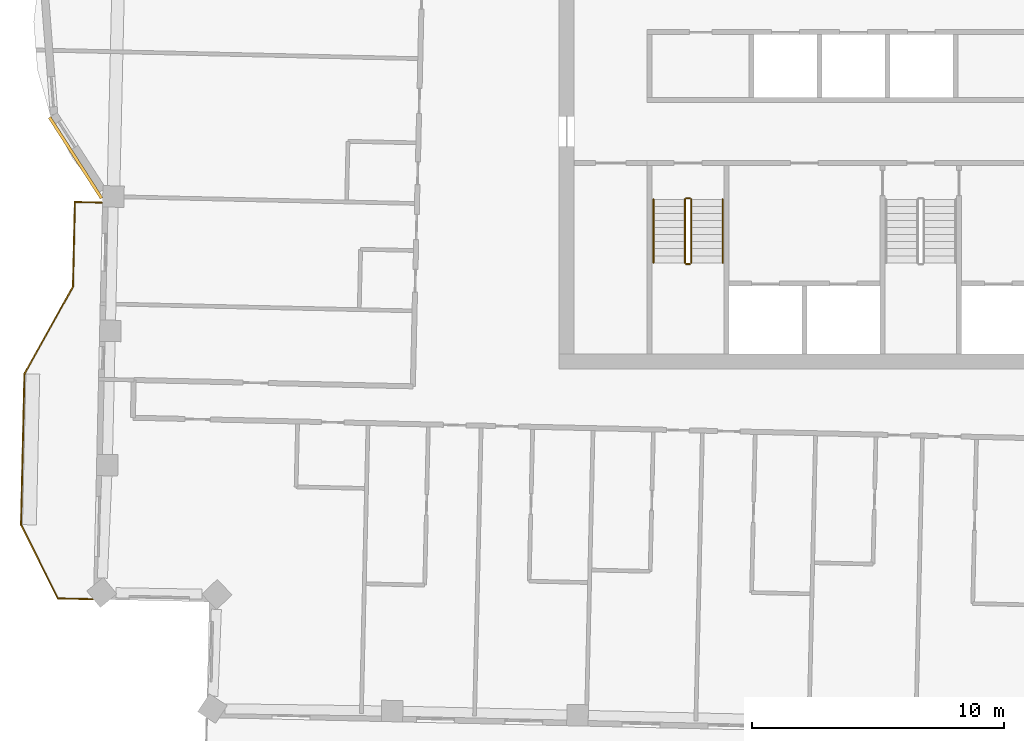
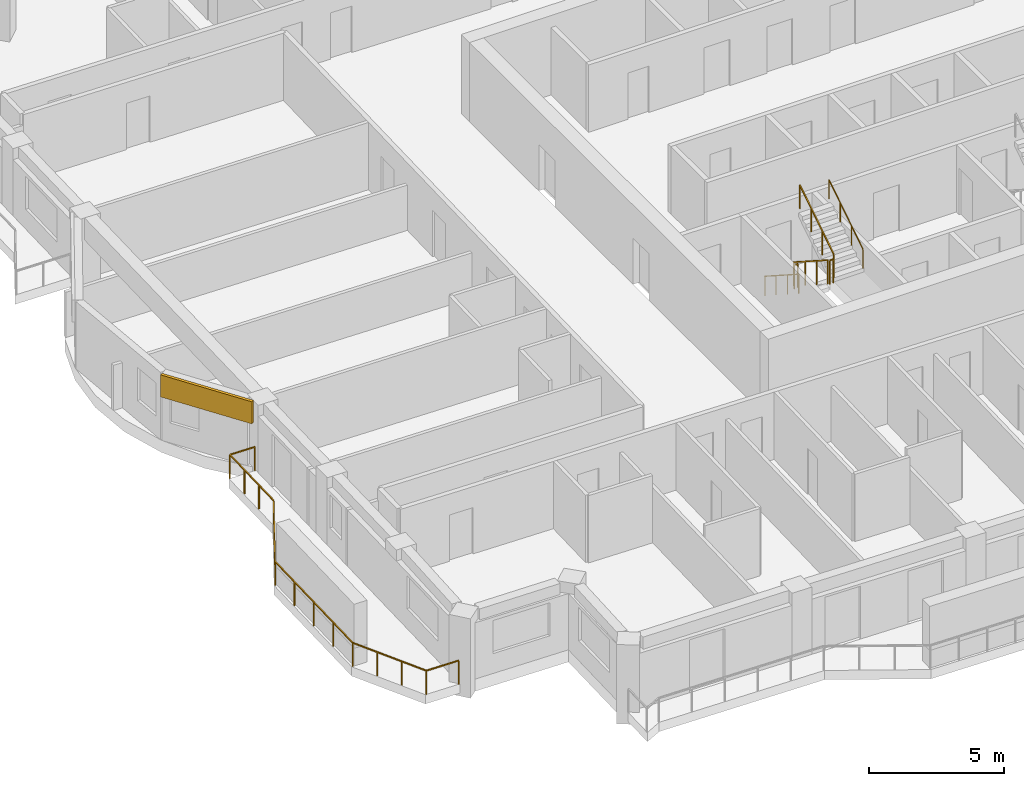
# One storey, part 12 of 15: 7 railings, 1 covering.
"""IFC4 building model written with IfcOpenShell, lengths in metres."""

from ifc_helpers import new_model, si_unit, direction, frame, frame_2d, origin, origin_2d, place, context, subcontext, project, spatial, rectangle, circle, extrude, material, layer, layer_set, type_object, element, save


model = new_model("IFC4")

# Units and contexts
model_context = context("Model", 3, precision=1e-05, world=origin(), true_north=direction((0.0, 1.0)))
body_context = subcontext(model_context, "Body", "Model", "MODEL_VIEW")
ifc_project = project(units=[si_unit("LENGTHUNIT", "METRE"), si_unit("AREAUNIT", "SQUARE_METRE"), si_unit("VOLUMEUNIT", "CUBIC_METRE"), si_unit("PLANEANGLEUNIT", "RADIAN"), si_unit("MASSUNIT", "GRAM", prefix="KILO")], contexts=[model_context])

# Site, building, storey
site_placement = place(None, origin())
site = spatial("IfcSite", under=ifc_project, at=site_placement, CompositionType="ELEMENT")
building_placement = place(site_placement, origin())
building = spatial("IfcBuilding", under=site, at=building_placement, Name="Mangrove Gate Tower", CompositionType="ELEMENT")
storey_placement = place(building_placement, frame((0.0, 0.0, 320.5)))
storey = spatial("IfcBuildingStorey", under=building, at=storey_placement, Name="L82", CompositionType="ELEMENT", Elevation=320.5)

# Railings
ifc_material_1 = material(Name="Stainless steel grade 316 with laminated glass infill", Category="steel")
railing_type_1 = type_object("IfcRailingType", Name="Balcony guard 1100", PredefinedType="GUARDRAIL", material=ifc_material_1)
railing_1_placement = place(storey_placement, frame((-32.593994140625, -4.77392578125, 0.0)))
element("IfcRailing", 1, at=railing_1_placement, inside=storey, type_object=railing_type_1, Name="GUARD L82 W2", PredefinedType="GUARDRAIL", context=body_context, shape_type="SweptSolid", body=[
    extrude(rectangle(XDim=0.048095703125, YDim=0.048095703125, at=origin_2d()), frame((0.0, 0.0, 1.076171875), z_axis=(-0.999744919731, 0.022585293253, 0.0), x_axis=(-0.022585293253, -0.999744919731, 0.0)), (0.0, 0.0, 1.0), 1.059326171875),
    extrude(rectangle(XDim=0.048095703125, YDim=0.048095703125, at=origin_2d()), frame((-1.05908203125, 0.02392578125, 1.076171875), z_axis=(-0.02278713509, -0.999740339525, 0.0), x_axis=(0.999740339525, -0.02278713509, 0.0)), (0.0, 0.0, 1.0), 3.375),
    extrude(rectangle(XDim=0.048095703125, YDim=0.048095703125, at=origin_2d()), frame((-1.135986328125, -3.35009765625, 1.076171875), z_axis=(-0.48726008209, -0.87325689943, 0.0), x_axis=(0.87325689943, -0.48726008209, 0.0)), (0.0, 0.0, 1.0), 3.958740234375),
    extrude(rectangle(XDim=0.048095703125, YDim=0.048095703125, at=origin_2d()), frame((-3.06494140625, -6.80712890625, 1.076171875), z_axis=(-0.022665943652, -0.999743094499, 0.0), x_axis=(0.999743094499, -0.022665943652, 0.0)), (0.0, 0.0, 1.0), 5.99951171875),
    extrude(rectangle(XDim=0.048095703125, YDim=0.048095703125, at=origin_2d()), frame((-3.200927734375, -12.80517578125, 1.076171875), z_axis=(0.447243366819, -0.894412304721, 0.0), x_axis=(0.894412304721, 0.447243366819, 0.0)), (0.0, 0.0, 1.0), 3.2802734375),
    extrude(rectangle(XDim=0.048095703125, YDim=0.048095703125, at=origin_2d()), frame((-1.73388671875, -15.739013671875, 1.076171875), z_axis=(0.99974621256, -0.022527993079, 0.0), x_axis=(0.022527993079, 0.99974621256, 0.0)), (0.0, 0.0, 1.0), 1.376220703125),
    extrude(rectangle(XDim=0.0419921875, YDim=0.0419921875, at=origin_2d()), origin(), (0.0, 0.0, 1.0), 1.052001953125),
    extrude(rectangle(XDim=0.0419921875, YDim=0.0419921875, at=origin_2d()), frame((-1.05908203125, 0.02392578125, 0.0)), (0.0, 0.0, 1.0), 1.052001953125),
    extrude(rectangle(XDim=0.0419921875, YDim=0.0419921875, at=origin_2d()), frame((-1.084716796875, -1.100830078125, 0.0)), (0.0, 0.0, 1.0), 1.052001953125),
    extrude(rectangle(XDim=0.0419921875, YDim=0.0419921875, at=origin_2d()), frame((-1.1103515625, -2.225341796875, 0.0)), (0.0, 0.0, 1.0), 1.052001953125),
    extrude(rectangle(XDim=0.0419921875, YDim=0.0419921875, at=origin_2d()), frame((-1.135986328125, -3.35009765625, 0.0)), (0.0, 0.0, 1.0), 1.052001953125),
    extrude(rectangle(XDim=0.0419921875, YDim=0.0419921875, at=origin_2d()), frame((-1.779052734375, -4.50244140625, 0.0)), (0.0, 0.0, 1.0), 1.052001953125),
    extrude(rectangle(XDim=0.0419921875, YDim=0.0419921875, at=origin_2d()), frame((-2.421875, -5.65478515625, 0.0)), (0.0, 0.0, 1.0), 1.052001953125),
    extrude(rectangle(XDim=0.0419921875, YDim=0.0419921875, at=origin_2d()), frame((-3.06494140625, -6.80712890625, 0.0)), (0.0, 0.0, 1.0), 1.052001953125),
    extrude(rectangle(XDim=0.0419921875, YDim=0.0419921875, at=origin_2d()), frame((-3.098876953125, -8.306640625, 0.0)), (0.0, 0.0, 1.0), 1.052001953125),
    extrude(rectangle(XDim=0.0419921875, YDim=0.0419921875, at=origin_2d()), frame((-3.1328125, -9.80615234375, 0.0)), (0.0, 0.0, 1.0), 1.052001953125),
    extrude(rectangle(XDim=0.0419921875, YDim=0.0419921875, at=origin_2d()), frame((-3.1669921875, -11.3056640625, 0.0)), (0.0, 0.0, 1.0), 1.052001953125),
    extrude(rectangle(XDim=0.0419921875, YDim=0.0419921875, at=origin_2d()), frame((-3.200927734375, -12.80517578125, 0.0)), (0.0, 0.0, 1.0), 1.052001953125),
    extrude(rectangle(XDim=0.0419921875, YDim=0.0419921875, at=origin_2d()), frame((-2.7119140625, -13.783203125, 0.0)), (0.0, 0.0, 1.0), 1.052001953125),
    extrude(rectangle(XDim=0.0419921875, YDim=0.0419921875, at=origin_2d()), frame((-2.222900390625, -14.760986328125, 0.0)), (0.0, 0.0, 1.0), 1.052001953125),
    extrude(rectangle(XDim=0.0419921875, YDim=0.0419921875, at=origin_2d()), frame((-1.73388671875, -15.739013671875, 0.0)), (0.0, 0.0, 1.0), 1.052001953125),
    extrude(rectangle(XDim=0.0419921875, YDim=0.0419921875, at=origin_2d()), frame((-0.35791015625, -15.77001953125, 0.0)), (0.0, 0.0, 1.0), 1.052001953125),
])
ifc_material_2 = material(Name="Stainless steel 316", Category="steel")
railing_type_2 = type_object("IfcRailingType", Name="Core stair guard 1100", PredefinedType="GUARDRAIL", material=ifc_material_2)
railing_2_placement = place(storey_placement, frame((-9.39990234375, -4.64990234375, 0.179931640625)))
element("IfcRailing", 2, at=railing_2_placement, inside=storey, type_object=railing_type_2, Name="L82 ST1 stair guard 1", PredefinedType="GUARDRAIL", context=body_context, shape_type="SweptSolid", body=[
    extrude(rectangle(XDim=0.048095703125, YDim=0.048095703125, at=origin_2d()), frame((0.0, 0.0, 1.076171875), z_axis=(0.0, -0.841162588446, 0.540782303519), x_axis=(1.0, 0.0, 0.0)), (0.0, 0.0, 1.0), 2.995849609375),
    extrude(rectangle(XDim=0.0419921875, YDim=0.0419921875, at=origin_2d()), origin(), (0.0, 0.0, 1.0), 1.052001953125),
    extrude(rectangle(XDim=0.0419921875, YDim=0.0419921875, at=origin_2d()), frame((0.0, -0.840087890625, 0.5400390625)), (0.0, 0.0, 1.0), 1.052001953125),
    extrude(rectangle(XDim=0.0419921875, YDim=0.0419921875, at=origin_2d()), frame((0.0, -1.679931640625, 1.080078125)), (0.0, 0.0, 1.0), 1.052001953125),
    extrude(rectangle(XDim=0.0419921875, YDim=0.0419921875, at=origin_2d()), frame((0.0, -2.52001953125, 1.6201171875)), (0.0, 0.0, 1.0), 1.052001953125),
])
railing_3_placement = place(storey_placement, frame((-9.35009765625, -7.219970703125, 1.800048828125)))
element("IfcRailing", 3, at=railing_3_placement, inside=storey, type_object=railing_type_2, Name="L82 ST1 stair guard 2", PredefinedType="GUARDRAIL", context=body_context, shape_type="SweptSolid", body=[
    extrude(rectangle(XDim=0.048095703125, YDim=0.048095703125, at=origin_2d()), frame((0.0, 0.0, 1.076171875), z_axis=(1.0, 0.0, 0.0), x_axis=(0.0, 1.0, 0.0)), (0.0, 0.0, 1.0), 0.150146484375),
    extrude(rectangle(XDim=0.0419921875, YDim=0.0419921875, at=origin_2d()), origin(), (0.0, 0.0, 1.0), 1.052001953125),
    extrude(rectangle(XDim=0.0419921875, YDim=0.0419921875, at=origin_2d()), frame((0.150146484375, 0.0, 0.0)), (0.0, 0.0, 1.0), 1.052001953125),
])
railing_4_placement = place(storey_placement, frame((-9.14990234375, -7.169921875, 1.97998046875)))
element("IfcRailing", 4, at=railing_4_placement, inside=storey, type_object=railing_type_2, Name="L82 ST1 stair guard 3", PredefinedType="GUARDRAIL", context=body_context, shape_type="SweptSolid", body=[
    extrude(rectangle(XDim=0.048095703125, YDim=0.048095703125, at=origin_2d()), frame((0.0, 0.0, 1.076171875), z_axis=(0.0, 0.841162588446, 0.540782303519), x_axis=(-1.0, 0.0, 0.0)), (0.0, 0.0, 1.0), 2.995849609375),
    extrude(rectangle(XDim=0.0419921875, YDim=0.0419921875, at=origin_2d()), origin(), (0.0, 0.0, 1.0), 1.052001953125),
    extrude(rectangle(XDim=0.0419921875, YDim=0.0419921875, at=origin_2d()), frame((0.0, 0.840087890625, 0.5400390625)), (0.0, 0.0, 1.0), 1.052001953125),
    extrude(rectangle(XDim=0.0419921875, YDim=0.0419921875, at=origin_2d()), frame((0.0, 1.679931640625, 1.080078125)), (0.0, 0.0, 1.0), 1.052001953125),
    extrude(rectangle(XDim=0.0419921875, YDim=0.0419921875, at=origin_2d()), frame((0.0, 2.52001953125, 1.6201171875)), (0.0, 0.0, 1.0), 1.052001953125),
])
railing_5_placement = place(storey_placement, frame((-9.35009765625, -4.60009765625, 0.0)))
element("IfcRailing", 5, at=railing_5_placement, inside=storey, type_object=railing_type_2, Name="L82 ST1 stair guard 4", PredefinedType="GUARDRAIL", context=body_context, shape_type="SweptSolid", body=[
    extrude(rectangle(XDim=0.048095703125, YDim=0.048095703125, at=origin_2d()), frame((0.0, 0.0, 1.076171875), z_axis=(1.0, 0.0, 0.0), x_axis=(0.0, 1.0, 0.0)), (0.0, 0.0, 1.0), 0.150146484375),
    extrude(rectangle(XDim=0.0419921875, YDim=0.0419921875, at=origin_2d()), origin(), (0.0, 0.0, 1.0), 1.052001953125),
    extrude(rectangle(XDim=0.0419921875, YDim=0.0419921875, at=origin_2d()), frame((0.150146484375, 0.0, 0.0)), (0.0, 0.0, 1.0), 1.052001953125),
])
ifc_material_3 = material(Name="Stainless steel 316", Category="steel")
railing_type_3 = type_object("IfcRailingType", Name="Core stair handrail 900", PredefinedType="HANDRAIL", material=ifc_material_3)
railing_6_placement = place(storey_placement, frame((-10.64990234375, -4.64990234375, 0.179931640625)))
element("IfcRailing", 6, at=railing_6_placement, inside=storey, type_object=railing_type_3, Name="L82 ST1 stair handrail 1", PredefinedType="HANDRAIL", context=body_context, shape_type="SweptSolid", body=[
    extrude(circle(Radius=0.02392578125, at=origin_2d()), frame((0.0, 0.0, 0.8759765625), z_axis=(0.0, -0.841162588446, 0.540782303519), x_axis=(1.0, 0.0, 0.0)), (0.0, 0.0, 1.0), 2.995849609375),
    extrude(circle(Radius=0.02099609375, at=origin_2d()), origin(), (0.0, 0.0, 1.0), 0.851806640625),
    extrude(circle(Radius=0.02099609375, at=origin_2d()), frame((0.0, -0.840087890625, 0.5400390625)), (0.0, 0.0, 1.0), 0.851806640625),
    extrude(circle(Radius=0.02099609375, at=origin_2d()), frame((0.0, -1.679931640625, 1.080078125)), (0.0, 0.0, 1.0), 0.851806640625),
    extrude(circle(Radius=0.02099609375, at=origin_2d()), frame((0.0, -2.52001953125, 1.6201171875)), (0.0, 0.0, 1.0), 0.851806640625),
])
railing_7_placement = place(storey_placement, frame((-7.89990234375, -7.169921875, 1.97998046875)))
element("IfcRailing", 7, at=railing_7_placement, inside=storey, type_object=railing_type_3, Name="L82 ST1 stair handrail 2", PredefinedType="HANDRAIL", context=body_context, shape_type="SweptSolid", body=[
    extrude(circle(Radius=0.02392578125, at=origin_2d()), frame((0.0, 0.0, 0.8759765625), z_axis=(0.0, 0.841162588446, 0.540782303519), x_axis=(-1.0, 0.0, 0.0)), (0.0, 0.0, 1.0), 2.995849609375),
    extrude(circle(Radius=0.02099609375, at=origin_2d()), origin(), (0.0, 0.0, 1.0), 0.851806640625),
    extrude(circle(Radius=0.02099609375, at=origin_2d()), frame((0.0, 0.840087890625, 0.5400390625)), (0.0, 0.0, 1.0), 0.851806640625),
    extrude(circle(Radius=0.02099609375, at=origin_2d()), frame((0.0, 1.679931640625, 1.080078125)), (0.0, 0.0, 1.0), 0.851806640625),
    extrude(circle(Radius=0.02099609375, at=origin_2d()), frame((0.0, 2.52001953125, 1.6201171875)), (0.0, 0.0, 1.0), 0.851806640625),
])

# Covering
ifc_material_4 = material(Name="Limestone", Category="masonry")
ifc_layer_1 = layer(ifc_material_4, 0.0400390625, Name="Limestone cladding")
ifc_material_5 = material(Name="Stainless steel anchors and cavity", Category="steel")
ifc_layer_2 = layer(ifc_material_5, 0.080078125, Name="Fixing cavity")
ifc_layer_set = layer_set([ifc_layer_1, ifc_layer_2], Name="Joint fascia cladding 120")
covering_type = type_object("IfcCoveringType", Name="Joint fascia cladding 120", PredefinedType="CLADDING", material=ifc_layer_set)
covering_placement = place(storey_placement, frame((-34.657958984375, -1.39111328125, 2.050048828125), z_axis=(0.0, 0.0, 1.0), x_axis=(0.540602448732, -0.841278189676, 0.0)))
element("IfcCovering", 8, at=covering_placement, inside=storey, type_object=covering_type, Name="STONE FASCIA L82 W9.L2", PredefinedType="CLADDING", context=body_context, shape_type="SweptSolid", body=[
    extrude(rectangle(XDim=3.81787109375, YDim=0.1201171875, at=frame_2d((1.908935546875, 0.0))), origin(), (0.0, 0.0, 1.0), 1.0),
])

save(model, "model.ifc")
